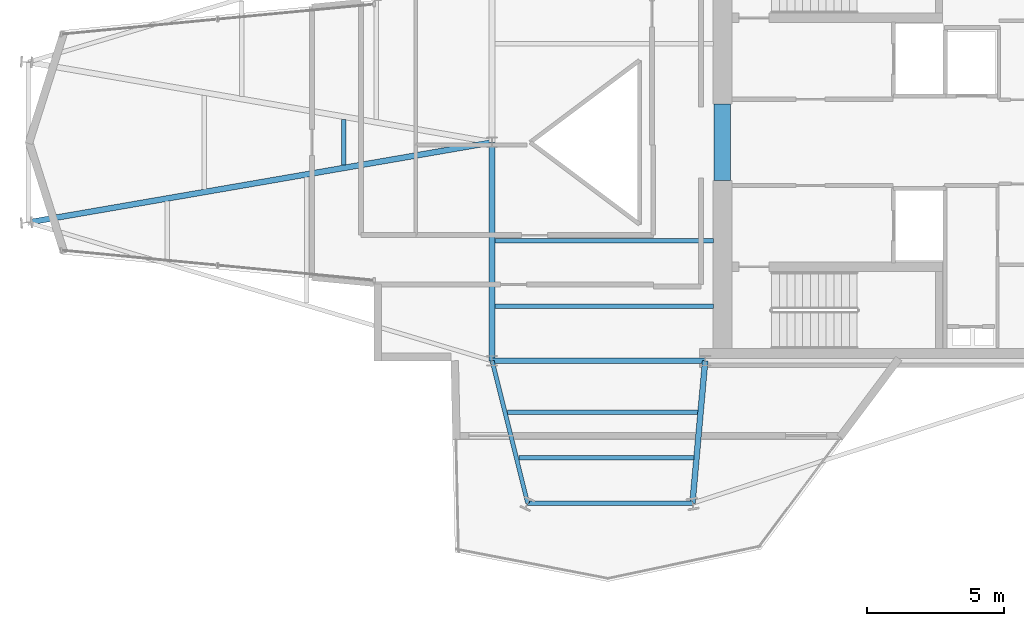
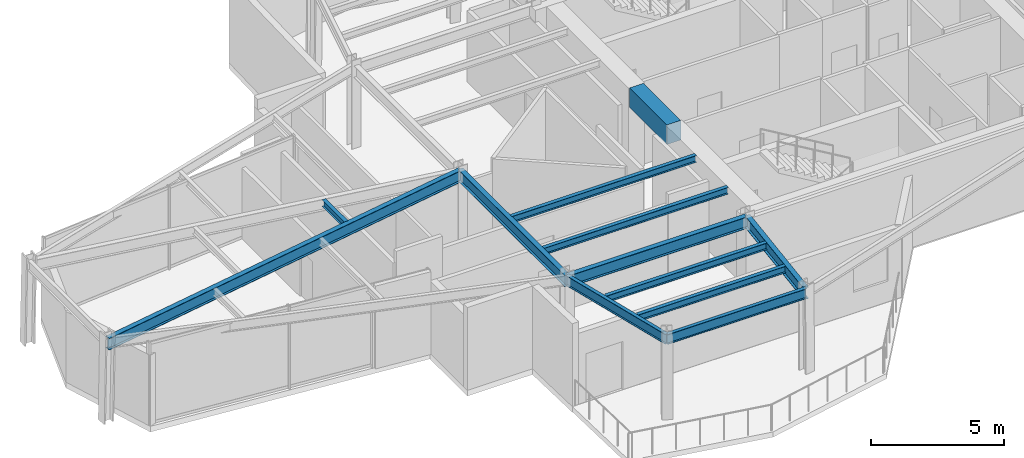
# One storey, part 5 of 18: 12 beams.
"""IFC4 building model written with IfcOpenShell, lengths in metres."""

from ifc_helpers import new_model, si_unit, direction, frame, origin, origin_2d, place, context, subcontext, project, spatial, rectangle, i_section, extrude, material, material_profile, profile_set, type_object, element, save


model = new_model("IFC4")

# Units and contexts
model_context = context("Model", 3, precision=1e-05, world=origin(), true_north=direction((0.0, 1.0)))
body_context = subcontext(model_context, "Body", "Model", "MODEL_VIEW")
ifc_project = project(units=[si_unit("LENGTHUNIT", "METRE"), si_unit("AREAUNIT", "SQUARE_METRE"), si_unit("VOLUMEUNIT", "CUBIC_METRE"), si_unit("PLANEANGLEUNIT", "RADIAN"), si_unit("MASSUNIT", "GRAM", prefix="KILO")], contexts=[model_context])

# Site, building, storey
site_placement = place(None, origin())
site = spatial("IfcSite", under=ifc_project, at=site_placement, CompositionType="ELEMENT")
building_placement = place(site_placement, origin())
building = spatial("IfcBuilding", under=site, at=building_placement, Name="Veymaron Broadcast Tower", CompositionType="ELEMENT")
storey_placement = place(building_placement, frame((0.0, 0.0, 236.39990234375)))
storey = spatial("IfcBuildingStorey", under=building, at=storey_placement, Name="L55", CompositionType="ELEMENT", Elevation=236.39990234375)

# Beams
ifc_material_1 = material(Name="Concrete C60/75", Category="concrete")
ifc_material_profile_1 = material_profile(ifc_material_1, rectangle(XDim=0.60009765625, YDim=0.89990234375, at=origin_2d()), Name="RC600X900")
ifc_profile_set_1 = profile_set([ifc_material_profile_1], Name="Concrete C60/75")
beam_type_1 = type_object("IfcBeamType", Name="BM-CB2", PredefinedType="LINTEL", material=ifc_profile_set_1)
beam_1_placement = place(storey_placement, frame((39.6298828125, 22.60009765625, 3.340087890625), z_axis=(0.0, 1.0, 0.0), x_axis=(-1.0, 0.0, 0.0)))
element("IfcBeam", 1, at=beam_1_placement, inside=storey, type_object=beam_type_1, Name="L55 Core Wall west coupling beam", PredefinedType="LINTEL", context=body_context, shape_type="SweptSolid", body=[
    extrude(rectangle(XDim=0.60009765625, YDim=0.89990234375, at=origin_2d()), origin(), (0.0, 0.0, 1.0), 2.7998046875),
])
ifc_material_2 = material(Name="Structural steel ASTM A992 Gr 50", Category="steel")
ifc_material_profile_2 = material_profile(ifc_material_2, i_section(OverallWidth=0.2099609375, OverallDepth=0.537109375, WebThickness=0.010986328125, FlangeThickness=0.017333984375, at=origin_2d()), Name="W530X101")
ifc_profile_set_2 = profile_set([ifc_material_profile_2], Name="Structural steel ASTM A992 Gr 50")
beam_type_2 = type_object("IfcBeamType", Name="BM-FG3", PredefinedType="BEAM", material=ifc_profile_set_2)
beam_2_placement = place(storey_placement, frame((31.199951171875, 16.0, 3.521484375), z_axis=(0.0, 1.0, 0.0), x_axis=(-1.0, 0.0, 0.0)))
element("IfcBeam", 2, at=beam_2_placement, inside=storey, type_object=beam_type_2, Name="L55 primary structural floor girder", PredefinedType="BEAM", context=body_context, shape_type="SweptSolid", body=[
    extrude(i_section(OverallWidth=0.2099609375, OverallDepth=0.537109375, WebThickness=0.010986328125, FlangeThickness=0.017333984375, at=origin_2d()), origin(), (0.0, 0.0, 1.0), 8.0),
])
beam_3_placement = place(storey_placement, frame((31.199951171875, 16.0, 3.521484375), z_axis=(1.0, 0.0, 0.0), x_axis=(0.0, 1.0, 0.0)))
element("IfcBeam", 3, at=beam_3_placement, inside=storey, type_object=beam_type_2, Name="L55 primary structural floor girder", PredefinedType="BEAM", context=body_context, shape_type="SweptSolid", body=[
    extrude(i_section(OverallWidth=0.2099609375, OverallDepth=0.537109375, WebThickness=0.010986328125, FlangeThickness=0.017333984375, at=origin_2d()), origin(), (0.0, 0.0, 1.0), 7.800048828125),
])
beam_4_placement = place(storey_placement, frame((14.217041015625, 21.06494140625, 3.521484375), z_axis=(0.985392317062, 0.170299681374, 0.0), x_axis=(-0.170299681374, 0.985392317062, 0.0)))
element("IfcBeam", 4, at=beam_4_placement, inside=storey, type_object=beam_type_2, Name="L55 primary structural floor girder", PredefinedType="BEAM", context=body_context, shape_type="SweptSolid", body=[
    extrude(i_section(OverallWidth=0.2099609375, OverallDepth=0.537109375, WebThickness=0.010986328125, FlangeThickness=0.017333984375, at=origin_2d()), origin(), (0.0, 0.0, 1.0), 17.234619140625),
])
beam_5_placement = place(storey_placement, frame((39.0, 16.0, 3.521484375), z_axis=(-0.088915400246, -0.996039181759, 0.0), x_axis=(0.996039181759, -0.088915400246, 0.0)))
element("IfcBeam", 5, at=beam_5_placement, inside=storey, type_object=beam_type_2, Name="L55 primary structural floor girder", PredefinedType="BEAM", context=body_context, shape_type="SweptSolid", body=[
    extrude(i_section(OverallWidth=0.2099609375, OverallDepth=0.537109375, WebThickness=0.010986328125, FlangeThickness=0.017333984375, at=origin_2d()), origin(), (0.0, 0.0, 1.0), 5.230712890625),
])
ifc_material_profile_3 = material_profile(ifc_material_2, i_section(OverallWidth=0.1650390625, OverallDepth=0.31005859375, WebThickness=0.005859375, FlangeThickness=0.009765625, at=origin_2d()), Name="W310X39")
ifc_profile_set_3 = profile_set([ifc_material_profile_3], Name="Structural steel ASTM A992 Gr 50")
beam_type_3 = type_object("IfcBeamType", Name="BM-JS3", PredefinedType="JOIST", material=ifc_profile_set_3)
beam_6_placement = place(storey_placement, frame((25.765380859375, 23.160888671875, 3.635009765625), z_axis=(0.0, 1.0, 0.0), x_axis=(-1.0, 0.0, 0.0)))
element("IfcBeam", 6, at=beam_6_placement, inside=storey, type_object=beam_type_3, Name="L55 Arm-A secondary joist 2M", PredefinedType="JOIST", context=body_context, shape_type="SweptSolid", body=[
    extrude(i_section(OverallWidth=0.1650390625, OverallDepth=0.31005859375, WebThickness=0.005859375, FlangeThickness=0.009765625, at=origin_2d()), origin(), (0.0, 0.0, 1.0), 1.67822265625),
])
beam_7_placement = place(storey_placement, frame((31.768798828125, 14.12451171875, 3.635009765625), z_axis=(1.0, 0.0, 0.0), x_axis=(0.0, 1.0, 0.0)))
element("IfcBeam", 7, at=beam_7_placement, inside=storey, type_object=beam_type_3, Name="L55 Arm-C secondary joist 1", PredefinedType="JOIST", context=body_context, shape_type="SweptSolid", body=[
    extrude(i_section(OverallWidth=0.1650390625, OverallDepth=0.31005859375, WebThickness=0.005859375, FlangeThickness=0.009765625, at=origin_2d()), origin(), (0.0, 0.0, 1.0), 6.9638671875),
])
beam_8_placement = place(storey_placement, frame((32.185302734375, 12.457275390625, 3.635009765625), z_axis=(1.0, 0.0, 0.0), x_axis=(0.0, 1.0, 0.0)))
element("IfcBeam", 8, at=beam_8_placement, inside=storey, type_object=beam_type_3, Name="L55 Arm-C secondary joist 2", PredefinedType="JOIST", context=body_context, shape_type="SweptSolid", body=[
    extrude(i_section(OverallWidth=0.1650390625, OverallDepth=0.31005859375, WebThickness=0.005859375, FlangeThickness=0.009765625, at=origin_2d()), origin(), (0.0, 0.0, 1.0), 6.3984375),
])
for number, where, z_axis, x_axis, name in (
    (9, (31.300048828125, 18.0, 3.635009765625), (1.0, 0.0, 0.0), (0.0, 1.0, 0.0), "L55 Hub secondary joist 1"),
    (10, (31.300048828125, 20.39990234375, 3.635009765625), (1.0, 0.0, 0.0), (0.0, 1.0, 0.0), "L55 Hub secondary joist 2"),
):
    element("IfcBeam", number, at=place(storey_placement, frame(where, z_axis=z_axis, x_axis=x_axis)), inside=storey, type_object=beam_type_3, Name=name, PredefinedType="JOIST", context=body_context, shape_type="SweptSolid", body=[
        extrude(i_section(OverallWidth=0.1650390625, OverallDepth=0.31005859375, WebThickness=0.005859375, FlangeThickness=0.009765625, at=origin_2d()), origin(), (0.0, 0.0, 1.0), 8.0),
    ])
ifc_material_profile_4 = material_profile(ifc_material_2, i_section(OverallWidth=0.154052734375, OverallDepth=0.458984375, WebThickness=0.009033203125, FlangeThickness=0.015380859375, at=origin_2d()), Name="W460X68")
ifc_profile_set_4 = profile_set([ifc_material_profile_4], Name="Structural steel ASTM A992 Gr 50")
beam_type_4 = type_object("IfcBeamType", Name="BM-SP2", PredefinedType="SPANDREL", material=ifc_profile_set_4)
beam_9_placement = place(storey_placement, frame((31.199951171875, 16.0, 3.560546875), z_axis=(0.242450048139, -0.970163890359, 0.0), x_axis=(0.970163890359, 0.242450048139, 0.0)))
element("IfcBeam", 11, at=beam_9_placement, inside=storey, type_object=beam_type_4, Name="L55 primary structural floor girder", PredefinedType="SPANDREL", context=body_context, shape_type="SweptSolid", body=[
    extrude(i_section(OverallWidth=0.154052734375, OverallDepth=0.458984375, WebThickness=0.009033203125, FlangeThickness=0.015380859375, at=origin_2d()), origin(), (0.0, 0.0, 1.0), 5.3701171875),
])
beam_10_placement = place(storey_placement, frame((32.501953125, 10.7900390625, 3.560546875), z_axis=(1.0, 0.0, 0.0), x_axis=(0.0, 1.0, 0.0)))
element("IfcBeam", 12, at=beam_10_placement, inside=storey, type_object=beam_type_4, Name="L55 primary structural floor girder", PredefinedType="SPANDREL", context=body_context, shape_type="SweptSolid", body=[
    extrude(i_section(OverallWidth=0.154052734375, OverallDepth=0.458984375, WebThickness=0.009033203125, FlangeThickness=0.015380859375, at=origin_2d()), origin(), (0.0, 0.0, 1.0), 6.032958984375),
])

save(model, "model.ifc")
